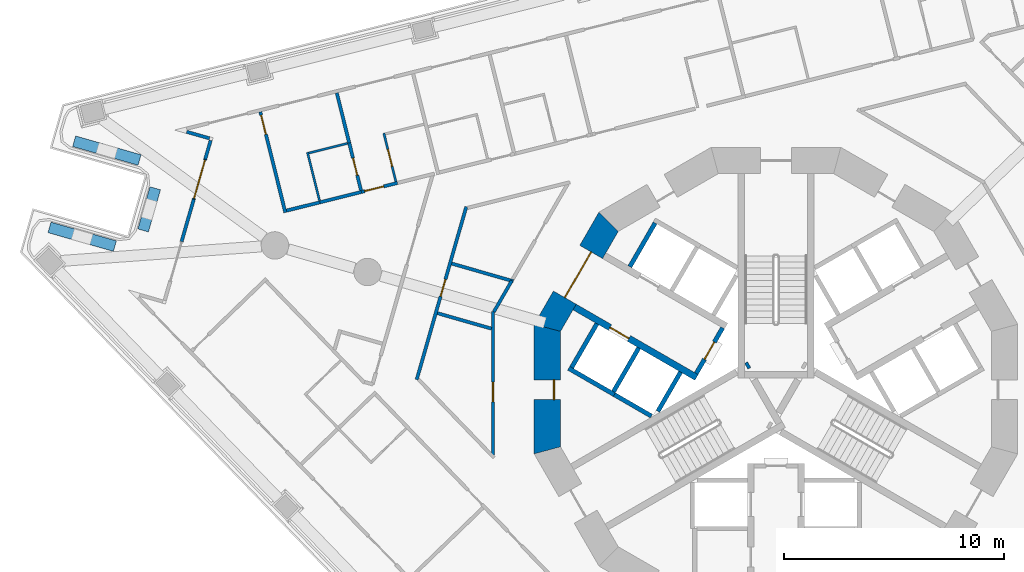
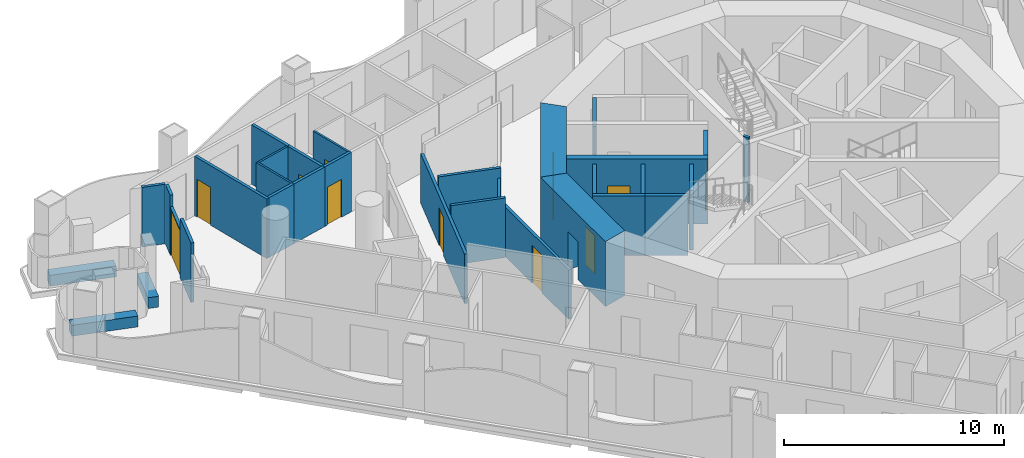
# One storey, part 6 of 18: 32 walls, 11 doors, 11 openings.
"""IFC4 building model written with IfcOpenShell, lengths in metres."""

import ifcopenshell
import ifcopenshell.guid

model = None  # the IFC model being written
_history = None  # IfcOwnerHistory: only IFC2X3 demands one
_inside = {}  # id of a spatial element -> (the spatial element, [elements in it])
_under = {}  # id of a project, library or spatial element -> (it, [spatial elements below it])
_declared = {}  # id of a project -> (the project, [libraries it declares])
_typed = {}  # id of a type object -> (the type object, [elements of that type])
_made_of = {}  # id of a material, layer set ... -> (it, [elements and type objects made of it])


def new_model(schema):
    """Start an empty IFC model of exactly this schema.

    Asked for "IFC4X3", IfcOpenShell would pick the latest addendum, in which some entities
    have other attributes; the version numbers below select the first issue.
    IFC2X3 requires an IfcOwnerHistory on every rooted entity: one is made here for all.
    """
    global model, _history
    if schema == "IFC4X3":
        model = ifcopenshell.file(schema_version=(4, 3, 0, 0))
    else:
        model = ifcopenshell.file(schema=schema)
    _inside.clear()
    _under.clear()
    _declared.clear()
    _typed.clear()
    _made_of.clear()
    _history = None
    if model.schema == "IFC2X3":
        org = make("IfcOrganization", Name="unknown")
        user = make(
            "IfcPersonAndOrganization",
            ThePerson=make("IfcPerson", FamilyName="unknown"),
            TheOrganization=org,
        )
        app = make(
            "IfcApplication",
            ApplicationDeveloper=org,
            Version="unknown",
            ApplicationFullName="unknown",
            ApplicationIdentifier="unknown",
        )
        _history = make(
            "IfcOwnerHistory",
            OwningUser=user,
            OwningApplication=app,
            ChangeAction="ADDED",
            CreationDate=0,
        )
    return model


def make(cls, **values):
    """One entity of the class cls with the attributes given. An attribute that is None is left unset."""
    return model.create_entity(
        cls, **{name: value for name, value in values.items() if value is not None}
    )


def rooted(cls, **values):
    """An entity with a GlobalId (a new one), such as an element, a storey or a relation."""
    return make(cls, GlobalId=ifcopenshell.guid.new(), OwnerHistory=_history, **values)


def si_unit(unit_type, name, prefix=None):
    """IfcSIUnit, for example si_unit("LENGTHUNIT", "METRE", prefix="MILLI")."""
    return make("IfcSIUnit", UnitType=unit_type, Prefix=prefix, Name=name)


def assignment(units):
    """IfcUnitAssignment: the units of a project."""
    return None if units is None else make("IfcUnitAssignment", Units=units)


def point(xyz):
    """IfcCartesianPoint."""
    return None if xyz is None else make("IfcCartesianPoint", Coordinates=xyz)


def direction(xyz):
    """IfcDirection."""
    return None if xyz is None else make("IfcDirection", DirectionRatios=xyz)


def frame(location, z_axis=None, x_axis=None):
    """IfcAxis2Placement3D, a coordinate frame: its origin and axes. An axis left out is left unset."""
    return make(
        "IfcAxis2Placement3D",
        Location=point(location),
        Axis=direction(z_axis),
        RefDirection=direction(x_axis),
    )


def frame_2d(location, x_axis=None):
    """IfcAxis2Placement2D, a coordinate frame in the plane: its origin and x axis."""
    return make(
        "IfcAxis2Placement2D", Location=point(location), RefDirection=direction(x_axis)
    )


def origin():
    """The frame at (0, 0, 0) with its axes left unset."""
    return frame((0.0, 0.0, 0.0))


def place(relative_to, where):
    """IfcLocalPlacement: puts the frame where relative to a parent placement (None: the world)."""
    return make(
        "IfcLocalPlacement", PlacementRelTo=relative_to, RelativePlacement=where
    )


def context(
    kind, dimensions, precision=None, world=None, true_north=None, identifier=None
):
    """IfcGeometricRepresentationContext, for example the 3D "Model" context."""
    return make(
        "IfcGeometricRepresentationContext",
        ContextIdentifier=identifier,
        ContextType=kind,
        CoordinateSpaceDimension=dimensions,
        Precision=precision,
        WorldCoordinateSystem=world,
        TrueNorth=true_north,
    )


def subcontext(parent, identifier, kind, view, scale=None):
    """IfcGeometricRepresentationSubContext, for example "Body" below "Model"."""
    return make(
        "IfcGeometricRepresentationSubContext",
        ContextIdentifier=identifier,
        ContextType=kind,
        ParentContext=parent,
        TargetScale=scale,
        TargetView=view,
    )


def project(units=None, contexts=None):
    """IfcProject with its units and contexts."""
    return rooted(
        "IfcProject",
        Name="project",
        RepresentationContexts=contexts,
        UnitsInContext=assignment(units),
    )


def spatial(cls, under=None, at=None, **own):
    """A site, building, storey or space (cls), placed at a placement, below another one or the project."""
    s = rooted(cls, ObjectPlacement=at, **own)
    if under is not None:
        _under.setdefault(under.id(), (under, []))[1].append(s)
    return s


def polyline(points):
    """IfcPolyline through the points."""
    return make("IfcPolyline", Points=[point(p) for p in points])


def profile(cls, at=None, kind="AREA", **sizes):
    """A parametric profile (cls). Its sizes go by their IFC names, for example OverallWidth=200.0."""
    return make(cls, ProfileType=kind, Position=at, **sizes)


def rectangle(**sizes):
    """IfcRectangleProfileDef."""
    return profile("IfcRectangleProfileDef", **sizes)


def outline(outer, holes=None, kind="AREA"):
    """IfcArbitraryClosedProfileDef: a profile drawn as a closed curve; with holes, ...WithVoids."""
    if holes is None:
        return make("IfcArbitraryClosedProfileDef", ProfileType=kind, OuterCurve=outer)
    return make(
        "IfcArbitraryProfileDefWithVoids",
        ProfileType=kind,
        OuterCurve=outer,
        InnerCurves=holes,
    )


def extrude(swept, where, along, depth):
    """IfcExtrudedAreaSolid: the profile swept, set in the frame where, extruded along a direction by depth."""
    return make(
        "IfcExtrudedAreaSolid",
        SweptArea=swept,
        Position=where,
        ExtrudedDirection=direction(along),
        Depth=depth,
    )


def shape(context_of_items, identifier, shape_type, items):
    """IfcShapeRepresentation: the items that make up one representation, for example the "Body"."""
    return make(
        "IfcShapeRepresentation",
        ContextOfItems=context_of_items,
        RepresentationIdentifier=identifier,
        RepresentationType=shape_type,
        Items=items,
    )


def material(Name=None, Category=None):
    """IfcMaterial."""
    return make("IfcMaterial", Name=Name, Category=Category)


def layer(
    of_material, thickness, ventilated=None, Name=None, Category=None, Priority=None
):
    """IfcMaterialLayer: one layer of a wall or slab, of a material (None: an air gap)."""
    return make(
        "IfcMaterialLayer",
        Material=of_material,
        LayerThickness=thickness,
        IsVentilated=ventilated,
        Name=Name,
        Category=Category,
        Priority=Priority,
    )


def layer_set(layers, Name=None):
    """IfcMaterialLayerSet."""
    return make("IfcMaterialLayerSet", MaterialLayers=layers, LayerSetName=Name)


def made_of(thing, what):
    """Note that an element or type object is made of a material, layer set ...; save() writes the relation."""
    if what is not None:
        _made_of.setdefault(what.id(), (what, []))[1].append(thing)
    return thing


def type_object(cls, material=None, **own):
    """A type object (cls), such as IfcWallType, which elements share."""
    return made_of(rooted(cls, **own), material)


def element(
    cls,
    number,
    at=None,
    inside=None,
    cuts=None,
    type_object=None,
    material=None,
    context=None,
    identifier="Body",
    shape_type=None,
    held_by="IfcProductDefinitionShape",
    body=None,
    shapes=None,
    **own,
):
    """One element of the class cls, such as IfcWall. Its Tag is "e" and its number.

    at: its placement. inside: the storey or other place that contains it. cuts: it is an
    opening in that element (IfcRelVoidsElement). A single representation is given by context,
    identifier, shape_type and body (its items); several are given by shapes. held_by: the class
    of the entity that holds the representations. save() writes the other relations.
    """
    e = rooted(cls, Tag="e%d" % number, ObjectPlacement=at, **own)
    if body is not None:
        shapes = [shape(context, identifier, shape_type, body)]
    if shapes is not None:
        e.Representation = make(held_by, Representations=shapes)
    if inside is not None:
        _inside.setdefault(inside.id(), (inside, []))[1].append(e)
    if cuts is not None:
        rooted(
            "IfcRelVoidsElement", RelatingBuildingElement=cuts, RelatedOpeningElement=e
        )
    if type_object is not None:
        _typed.setdefault(type_object.id(), (type_object, []))[1].append(e)
    return made_of(e, material)


def fill(opening, filler):
    """IfcRelFillsElement: the door or window that sits in an opening."""
    return rooted(
        "IfcRelFillsElement",
        RelatingOpeningElement=opening,
        RelatedBuildingElement=filler,
    )


def aggregate(whole, parts):
    """IfcRelAggregates: a whole, such as a stair, and the parts it consists of."""
    return rooted("IfcRelAggregates", RelatingObject=whole, RelatedObjects=parts)


def save(model, path):
    """Write the relations noted so far, then the file.

    IfcRelAggregates (storeys below a building ...), IfcRelContainedInSpatialStructure (elements
    in a storey), IfcRelDefinesByType, IfcRelAssociatesMaterial and IfcRelDeclares: one each for
    every whole, place, type object, material and project.
    """
    for whole, parts in _under.values():
        aggregate(whole, parts)
    for where, things in _inside.values():
        rooted(
            "IfcRelContainedInSpatialStructure",
            RelatedElements=things,
            RelatingStructure=where,
        )
    for kind, things in _typed.values():
        rooted("IfcRelDefinesByType", RelatedObjects=things, RelatingType=kind)
    for what, things in _made_of.values():
        rooted("IfcRelAssociatesMaterial", RelatedObjects=things, RelatingMaterial=what)
    for by, libraries in _declared.values():
        rooted("IfcRelDeclares", RelatingContext=by, RelatedDefinitions=libraries)
    model.write(path)


model = new_model("IFC4")

# Units and contexts
model_context = context("Model", 3, precision=1e-05, world=origin(), true_north=direction((0.0, 1.0)))
body_context = subcontext(model_context, "Body", "Model", "MODEL_VIEW")
ifc_project = project(units=[si_unit("LENGTHUNIT", "METRE"), si_unit("AREAUNIT", "SQUARE_METRE"), si_unit("VOLUMEUNIT", "CUBIC_METRE"), si_unit("PLANEANGLEUNIT", "RADIAN"), si_unit("MASSUNIT", "GRAM", prefix="KILO")], contexts=[model_context])

# Site, building, storey
site_placement = place(None, origin())
site = spatial("IfcSite", under=ifc_project, at=site_placement, CompositionType="ELEMENT")
building_placement = place(site_placement, origin())
building = spatial("IfcBuilding", under=site, at=building_placement, Name="Trine Commons Tower", CompositionType="ELEMENT")
storey_placement = place(building_placement, frame((0.0, 0.0, 90.89990234375)))
storey = spatial("IfcBuildingStorey", under=building, at=storey_placement, Name="L22", CompositionType="ELEMENT", Elevation=90.89990234375)

# Wall
ifc_material_1 = material(Name="Aluminium-framed insulated wall panel", Category="aluminium")
ifc_layer_1 = layer(ifc_material_1, 0.14990234375)
ifc_layer_set_1 = layer_set([ifc_layer_1], Name="Aluminium-framed insulated wall panel")
wall_type_1 = type_object("IfcWallType", Name="Glazed frame wall 150, EI 60", PredefinedType="SOLIDWALL", material=ifc_layer_set_1)
wall_1_placement = place(storey_placement, frame((52.931396484375, 69.221435546875, 0.0), z_axis=(0.0, 0.0, 1.0), x_axis=(0.275511032617, 0.961297909551, 0.0)))
element("IfcWall", 1, at=wall_1_placement, inside=storey, type_object=wall_type_1, Name="Glazed frame wall P1.3", PredefinedType="SOLIDWALL", context=body_context, shape_type="SweptSolid", body=[
    extrude(outline(polyline([(0.0, -0.074951171875), (2.0, -0.074951171875), (2.0, 0.074951171875), (0.0, 0.074951171875), (0.0, -0.074951171875)])), origin(), (0.0, 0.0, 1.0), 3.300048828125),
])

# Wall, opening, door
wall_2_placement = place(storey_placement, frame((53.482421875, 71.14404296875, 0.0), z_axis=(0.0, 0.0, 1.0), x_axis=(0.275739195228, 0.961232488119, 0.0)))
wall_2 = element("IfcWall", 2, at=wall_2_placement, inside=storey, type_object=wall_type_1, Name="Glazed frame wall P1.4", PredefinedType="SOLIDWALL", context=body_context, shape_type="SweptSolid", body=[
    extrude(outline(polyline([(0.0, -0.074951171875), (1.89990234375, -0.074951171875), (1.89990234375, 0.074951171875), (0.0, 0.074951171875), (0.0, -0.074951171875)])), origin(), (0.0, 0.0, 1.0), 2.650146484375),
])
opening_1_placement = place(wall_2_placement, frame((0.050048828125, 0.0, 0.0)))
opening_1 = element("IfcOpeningElement", 3, at=opening_1_placement, cuts=wall_2, Name="Opening BD-3P1-02", PredefinedType="OPENING", context=body_context, shape_type="SweptSolid", body=[
    extrude(rectangle(XDim=1.800048828125, YDim=2.60009765625, at=frame_2d((0.89990234375, 1.300048828125))), frame((0.0, 0.0849609375, 0.0), z_axis=(0.0, -1.0, 0.0), x_axis=(1.0, 0.0, 0.0)), (0.0, 0.0, 1.0), 0.169921875),
])
ifc_material_2 = material(Name="Anodised aluminium frame with double glazing", Category="aluminium")
door_type_1 = type_object("IfcDoorType", Name="Sliding loggia door 1800x2600", OperationType="SLIDING_TO_LEFT", PredefinedType="DOOR", material=ifc_material_2)
door_1_placement = place(opening_1_placement, origin())
door_1 = element("IfcDoor", 4, at=door_1_placement, inside=storey, type_object=door_type_1, Name="Loggia door P1 2", OperationType="SLIDING_TO_LEFT", OverallHeight=2.60009765625, OverallWidth=1.800048828125, PredefinedType="DOOR", context=body_context, shape_type="SweptSolid", body=[
    extrude(rectangle(XDim=1.800048828125, YDim=2.60009765625, at=frame_2d((0.89990234375, 1.300048828125))), frame((0.0, 0.02490234375, 0.0), z_axis=(0.0, -1.0, 0.0), x_axis=(1.0, 0.0, 0.0)), (0.0, 0.0, 1.0), 0.050048828125),
])
fill(opening_1, door_1)

# Walls
wall_3_placement = place(storey_placement, frame((54.00634765625, 72.970458984375, 0.0), z_axis=(0.0, 0.0, 1.0), x_axis=(0.275656175253, 0.961256299353, 0.0)))
element("IfcWall", 5, at=wall_3_placement, inside=storey, type_object=wall_type_1, Name="Glazed frame wall P1.5", PredefinedType="SOLIDWALL", context=body_context, shape_type="SweptSolid", body=[
    extrude(outline(polyline([(0.889892578125, 0.074951171875), (0.0, 0.074951171875), (0.0, -0.074951171875), (0.889892578125, -0.074951171875), (0.889892578125, 0.074951171875)])), origin(), (0.0, 0.0, 1.0), 3.300048828125),
])
wall_4_placement = place(storey_placement, frame((54.305908203125, 73.888427734375, 0.0), z_axis=(0.0, 0.0, 1.0), x_axis=(-0.961242628544, 0.275703843044, 0.0)))
element("IfcWall", 6, at=wall_4_placement, inside=storey, type_object=wall_type_1, Name="Glazed frame wall R3", PredefinedType="SOLIDWALL", context=body_context, shape_type="SweptSolid", body=[
    extrude(outline(polyline([(0.110107421875, 0.074951171875), (0.110107421875, -0.074951171875), (1.19580078125, -0.074951171875), (1.19580078125, 0.074951171875), (0.110107421875, 0.074951171875)])), origin(), (0.0, 0.0, 1.0), 3.300048828125),
])

# Wall, opening, door
ifc_material_3 = material(Name="Fire-rated gypsum shaft wall system")
ifc_layer_2 = layer(ifc_material_3, 0.199951171875)
ifc_layer_set_2 = layer_set([ifc_layer_2], Name="Fire-rated gypsum shaft wall system")
wall_type_2 = type_object("IfcWallType", Name="Lobby end wall 200 mm, EI 120", PredefinedType="PARTITIONING", material=ifc_layer_set_2)
wall_5_placement = place(storey_placement, frame((77.569091796875, 65.2890625, 0.0), z_axis=(0.0, 0.0, 1.0), x_axis=(-0.50012165622, -0.865955154139, 0.0)))
wall_5 = element("IfcWall", 7, at=wall_5_placement, inside=storey, type_object=wall_type_2, Name="Lobby end wall L22", PredefinedType="PARTITIONING", context=body_context, shape_type="SweptSolid", body=[
    extrude(rectangle(XDim=2.39990234375, YDim=0.199951171875, at=frame_2d((1.199951171875, 0.0))), origin(), (0.0, 0.0, 1.0), 3.300048828125),
])
opening_2_placement = place(wall_5_placement, frame((0.749755859375, 0.0, 0.0)))
opening_2 = element("IfcOpeningElement", 8, at=opening_2_placement, cuts=wall_5, Name="Opening K05.07", PredefinedType="OPENING", context=body_context, shape_type="SweptSolid", body=[
    extrude(rectangle(XDim=0.89990234375, YDim=2.10009765625, at=frame_2d((0.449951171875, 1.050048828125))), frame((0.0, 0.10986328125, 0.0), z_axis=(0.0, -1.0, 0.0), x_axis=(1.0, 0.0, 0.0)), (0.0, 0.0, 1.0), 0.219970703125),
])
ifc_material_4 = material(Name="Steel door leaf, fire-rated", Category="steel")
door_type_2 = type_object("IfcDoorType", Name="Riser access door, single leaf 900 x 2100, FD60", OperationType="SINGLE_SWING_LEFT", PredefinedType="DOOR", material=ifc_material_4)
door_2_placement = place(opening_2_placement, frame((0.89990234375, 0.0, 0.0), z_axis=(0.0, 0.0, 1.0), x_axis=(-1.0, 0.0, 0.0)))
door_2 = element("IfcDoor", 9, at=door_2_placement, inside=storey, type_object=door_type_2, Name="Riser door, Mechanical riser L22", OperationType="SINGLE_SWING_RIGHT", OverallHeight=2.10009765625, OverallWidth=0.89990234375, PredefinedType="DOOR", context=body_context, shape_type="SweptSolid", body=[
    extrude(rectangle(XDim=0.89990234375, YDim=2.10009765625, at=frame_2d((0.449951171875, 1.050048828125))), frame((0.0, 0.02490234375, 0.0), z_axis=(0.0, -1.0, 0.0), x_axis=(1.0, 0.0, 0.0)), (0.0, 0.0, 1.0), 0.050048828125),
])
fill(opening_2, door_2)

# Walls
ifc_material_5 = material(Name="Planter trough, precast concrete C40/50", Category="concrete")
ifc_layer_3 = layer(ifc_material_5, 0.5)
ifc_layer_set_3 = layer_set([ifc_layer_3], Name="Planter trough, precast concrete C40/50")
wall_type_3 = type_object("IfcWallType", Name="Planter trough 500x600", PredefinedType="PARAPET", material=ifc_layer_set_3)
wall_6_placement = place(storey_placement, frame((46.91064453125, 69.865966796875, 0.0), z_axis=(0.0, 0.0, 1.0), x_axis=(0.961261991794, -0.275636324044, 0.0)))
element("IfcWall", 10, at=wall_6_placement, inside=storey, type_object=wall_type_3, Name="Planter 1", PredefinedType="PARAPET", context=body_context, shape_type="SweptSolid", body=[
    extrude(rectangle(XDim=3.10009765625, YDim=0.5, at=frame_2d((1.550048828125, 0.0))), origin(), (0.0, 0.0, 1.0), 0.60009765625),
])
wall_7_placement = place(storey_placement, frame((51.177001953125, 69.724609375, 0.0), z_axis=(0.0, 0.0, 1.0), x_axis=(0.275623830648, 0.961265574115, 0.0)))
element("IfcWall", 11, at=wall_7_placement, inside=storey, type_object=wall_type_3, Name="Planter 2", PredefinedType="PARAPET", context=body_context, shape_type="SweptSolid", body=[
    extrude(rectangle(XDim=2.0, YDim=0.5, at=frame_2d((1.0, 0.0))), origin(), (0.0, 0.0, 1.0), 0.60009765625),
])
wall_8_placement = place(storey_placement, frame((51.01513671875, 72.93359375, 0.0), z_axis=(0.0, 0.0, 1.0), x_axis=(-0.961261991794, 0.275636324044, 0.0)))
element("IfcWall", 12, at=wall_8_placement, inside=storey, type_object=wall_type_3, Name="Planter 3", PredefinedType="PARAPET", context=body_context, shape_type="SweptSolid", body=[
    extrude(rectangle(XDim=3.10009765625, YDim=0.5, at=frame_2d((1.550048828125, 0.0))), origin(), (0.0, 0.0, 1.0), 0.60009765625),
])

# Wall, opening, door
ifc_material_6 = material(Name="Concrete C70/85", Category="concrete")
ifc_layer_4 = layer(ifc_material_6, 1.199951171875)
ifc_layer_set_4 = layer_set([ifc_layer_4], Name="Concrete C70/85")
wall_type_4 = type_object("IfcWallType", Name="RC shear wall 1200 mm, C70/85", PredefinedType="SHEAR", material=ifc_layer_set_4)
wall_9_placement = place(storey_placement, frame((72.45849609375, 70.260986328125, 0.0), z_axis=(0.0, 0.0, 1.0), x_axis=(-0.499979111662, -0.866037463336, 0.0)))
wall_9 = element("IfcWall", 13, at=wall_9_placement, inside=storey, type_object=wall_type_4, Name="Core wall CWC-06 L22", PredefinedType="SHEAR", context=body_context, shape_type="SweptSolid", body=[
    extrude(outline(polyline([(0.0, -0.60009765625), (5.901123046875, -0.60009765625), (5.57958984375, 0.60009765625), (0.321533203125, 0.60009765625), (0.0, -0.60009765625)])), origin(), (0.0, 0.0, 1.0), 3.60009765625),
])
opening_3_placement = place(wall_9_placement, frame((1.75048828125, 0.0, 0.0)))
opening_3 = element("IfcOpeningElement", 14, at=opening_3_placement, cuts=wall_9, Name="Opening K05.06", PredefinedType="OPENING", context=body_context, shape_type="SweptSolid", body=[
    extrude(rectangle(XDim=2.39990234375, YDim=2.10009765625, at=frame_2d((1.199951171875, 1.050048828125))), frame((0.0, 0.60986328125, 0.0), z_axis=(0.0, -1.0, 0.0), x_axis=(1.0, 0.0, 0.0)), (0.0, 0.0, 1.0), 1.219970703125),
])
ifc_material_7 = material(Name="Steel door leaves, fire-rated", Category="steel")
door_type_3 = type_object("IfcDoorType", Name="Lobby door, double leaf 2400 x 2100, FD60", OperationType="DOUBLE_DOOR_SINGLE_SWING", PredefinedType="DOOR", material=ifc_material_7)
door_3_placement = place(opening_3_placement, origin())
door_3 = element("IfcDoor", 15, at=door_3_placement, inside=storey, type_object=door_type_3, Name="Lobby door, Passenger lift lobby B L22", OperationType="DOUBLE_DOOR_SINGLE_SWING", OverallHeight=2.10009765625, OverallWidth=2.39990234375, PredefinedType="DOOR", context=body_context, shape_type="SweptSolid", body=[
    extrude(rectangle(XDim=2.39990234375, YDim=2.10009765625, at=frame_2d((1.199951171875, 1.050048828125))), frame((0.0, 0.02490234375, 0.0), z_axis=(0.0, -1.0, 0.0), x_axis=(1.0, 0.0, 0.0)), (0.0, 0.0, 1.0), 0.050048828125),
])
fill(opening_3, door_3)

wall_10_placement = place(storey_placement, frame((69.58837890625, 65.450439453125, 0.0), z_axis=(0.0, 0.0, 1.0), x_axis=(0.0, -1.0, 0.0)))
wall_10 = element("IfcWall", 16, at=wall_10_placement, inside=storey, type_object=wall_type_4, Name="Core wall CWC-07 L22", PredefinedType="SHEAR", context=body_context, shape_type="SweptSolid", body=[
    extrude(outline(polyline([(0.0, -0.60009765625), (5.90087890625, -0.60009765625), (5.57958984375, 0.60009765625), (0.321533203125, 0.60009765625), (0.0, -0.60009765625)])), origin(), (0.0, 0.0, 1.0), 3.60009765625),
])
opening_4_placement = place(wall_10_placement, frame((2.525390625, 0.0, 0.0)))
opening_4 = element("IfcOpeningElement", 17, at=opening_4_placement, cuts=wall_10, Name="Opening K05.13", PredefinedType="OPENING", context=body_context, shape_type="SweptSolid", body=[
    extrude(rectangle(XDim=0.89990234375, YDim=2.10009765625, at=frame_2d((0.449951171875, 1.050048828125))), frame((0.0, 0.60986328125, 0.0), z_axis=(0.0, -1.0, 0.0), x_axis=(1.0, 0.0, 0.0)), (0.0, 0.0, 1.0), 1.219970703125),
])
door_type_4 = type_object("IfcDoorType", Name="Core room door, single leaf 900 x 2100, FD30S", OperationType="SINGLE_SWING_LEFT", PredefinedType="DOOR", material=ifc_material_4)
door_4_placement = place(opening_4_placement, origin())
door_4 = element("IfcDoor", 18, at=door_4_placement, inside=storey, type_object=door_type_4, Name="Door to Pantry L22", OperationType="SINGLE_SWING_RIGHT", OverallHeight=2.10009765625, OverallWidth=0.89990234375, PredefinedType="DOOR", context=body_context, shape_type="SweptSolid", body=[
    extrude(rectangle(XDim=0.89990234375, YDim=2.10009765625, at=frame_2d((0.449951171875, 1.050048828125))), frame((0.0, 0.3251953125, 0.0), z_axis=(0.0, -1.0, 0.0), x_axis=(1.0, 0.0, 0.0)), (0.0, 0.0, 1.0), 0.050048828125),
])
fill(opening_4, door_4)

ifc_layer_5 = layer(ifc_material_6, 0.300048828125)
ifc_layer_set_5 = layer_set([ifc_layer_5], Name="Concrete C70/85")
wall_type_5 = type_object("IfcWallType", Name="RC shear wall 300 mm, C70/85", PredefinedType="SHEAR", material=ifc_layer_set_5)
wall_11_placement = place(storey_placement, frame((76.381103515625, 63.031005859375, 0.0), z_axis=(0.0, 0.0, 1.0), x_axis=(-0.866032150378, 0.499988314375, 0.0)))
wall_11 = element("IfcWall", 19, at=wall_11_placement, inside=storey, type_object=wall_type_5, Name="Core cross wall SWA-01 L22", PredefinedType="SHEAR", context=body_context, shape_type="SweptSolid", body=[
    extrude(rectangle(XDim=6.412353515625, YDim=0.300048828125, at=frame_2d((3.2060546875, 0.0))), origin(), (0.0, 0.0, 1.0), 3.60009765625),
])
opening_5_placement = place(wall_11_placement, frame((3.55029296875, 0.0, 0.0)))
opening_5 = element("IfcOpeningElement", 20, at=opening_5_placement, cuts=wall_11, Name="Opening LD3", PredefinedType="OPENING", context=body_context, shape_type="SweptSolid", body=[
    extrude(rectangle(XDim=1.0, YDim=2.10009765625, at=frame_2d((0.5, 1.050048828125))), frame((0.0, 0.159912109375, 0.0), z_axis=(0.0, -1.0, 0.0), x_axis=(1.0, 0.0, 0.0)), (0.0, 0.0, 1.0), 0.320068359375),
])
ifc_material_8 = material(Name="Stainless steel sliding door leaves", Category="steel")
door_type_5 = type_object("IfcDoorType", Name="Lift landing door, centre-opening sliding 1000 x 2100, FD90", OperationType="DOUBLE_DOOR_SLIDING", PredefinedType="DOOR", material=ifc_material_8)
door_5_placement = place(opening_5_placement, origin())
door_5 = element("IfcDoor", 21, at=door_5_placement, inside=storey, type_object=door_type_5, Name="Lift landing door LR3 L22", OperationType="DOUBLE_DOOR_SLIDING", OverallHeight=2.10009765625, OverallWidth=1.0, PredefinedType="DOOR", context=body_context, shape_type="SweptSolid", body=[
    extrude(rectangle(XDim=1.0, YDim=2.10009765625, at=frame_2d((0.5, 1.050048828125))), frame((0.0, 0.02490234375, 0.0), z_axis=(0.0, -1.0, 0.0), x_axis=(1.0, 0.0, 0.0)), (0.0, 0.0, 1.0), 0.050048828125),
])
fill(opening_5, door_5)

# Walls
wall_12_placement = place(storey_placement, frame((78.779052734375, 63.614013671875, 0.0), z_axis=(0.0, 0.0, 1.0), x_axis=(-0.867737973955, -0.497021939713, 0.0)))
element("IfcWall", 22, at=wall_12_placement, inside=storey, type_object=wall_type_5, Name="Core cross wall SWA-09 L22", PredefinedType="SHEAR", context=body_context, shape_type="SweptSolid", body=[
    extrude(rectangle(XDim=0.14892578125, YDim=0.300048828125, at=frame_2d((0.074462890625, 0.0))), origin(), (0.0, 0.0, 1.0), 3.60009765625),
])
ifc_layer_6 = layer(ifc_material_3, 0.199951171875)
ifc_layer_set_6 = layer_set([ifc_layer_6], Name="Fire-rated gypsum shaft wall system")
wall_type_6 = type_object("IfcWallType", Name="Shaft wall 200 mm, EI 120", PredefinedType="PARTITIONING", material=ifc_layer_set_6)
wall_13_placement = place(storey_placement, frame((71.844970703125, 65.47607421875, 0.0), z_axis=(0.0, 0.0, 1.0), x_axis=(-0.500136062276, -0.86594683394, 0.0)))
element("IfcWall", 23, at=wall_13_placement, inside=storey, type_object=wall_type_6, Name="Shaft wall L22", PredefinedType="PARTITIONING", context=body_context, shape_type="SweptSolid", body=[
    extrude(rectangle(XDim=2.299072265625, YDim=0.199951171875, at=frame_2d((1.1494140625, 0.0))), origin(), (0.0, 0.0, 1.0), 3.300048828125),
])
wall_14_placement = place(storey_placement, frame((72.637939453125, 62.248046875, 0.0), z_axis=(0.0, 0.0, 1.0), x_axis=(-0.866177122335, 0.499737123639, 0.0)))
element("IfcWall", 24, at=wall_14_placement, inside=storey, type_object=wall_type_6, Name="Shaft wall L22", PredefinedType="PARTITIONING", context=body_context, shape_type="SweptSolid", body=[
    extrude(rectangle(XDim=2.401123046875, YDim=0.199951171875, at=frame_2d((1.20068359375, 0.0))), origin(), (0.0, 0.0, 1.0), 3.300048828125),
])
wall_15_placement = place(storey_placement, frame((73.344970703125, 68.073974609375, 0.0), z_axis=(0.0, 0.0, 1.0), x_axis=(0.500215680983, 0.865900844496, 0.0)))
element("IfcWall", 25, at=wall_15_placement, inside=storey, type_object=wall_type_6, Name="Shaft wall L22", PredefinedType="PARTITIONING", context=body_context, shape_type="SweptSolid", body=[
    extrude(rectangle(XDim=2.29931640625, YDim=0.199951171875, at=frame_2d((1.149658203125, 0.0))), origin(), (0.0, 0.0, 1.0), 3.300048828125),
])
wall_16_placement = place(storey_placement, frame((73.7509765625, 64.3759765625, 0.0), z_axis=(0.0, 0.0, 1.0), x_axis=(-0.500136062276, -0.86594683394, 0.0)))
element("IfcWall", 26, at=wall_16_placement, inside=storey, type_object=wall_type_6, Name="Shaft wall L22", PredefinedType="PARTITIONING", context=body_context, shape_type="SweptSolid", body=[
    extrude(rectangle(XDim=2.299072265625, YDim=0.199951171875, at=frame_2d((1.1494140625, 0.0))), origin(), (0.0, 0.0, 1.0), 3.300048828125),
])
wall_17_placement = place(storey_placement, frame((74.324951171875, 61.27294921875, 0.0), z_axis=(0.0, 0.0, 1.0), x_axis=(-0.865780634835, 0.500423712812, 0.0)))
element("IfcWall", 27, at=wall_17_placement, inside=storey, type_object=wall_type_6, Name="Shaft wall L22", PredefinedType="PARTITIONING", context=body_context, shape_type="SweptSolid", body=[
    extrude(rectangle(XDim=1.948486328125, YDim=0.199951171875, at=frame_2d((0.97412109375, 0.0))), origin(), (0.0, 0.0, 1.0), 3.300048828125),
])
wall_18_placement = place(storey_placement, frame((75.656005859375, 63.27587890625, 0.0), z_axis=(0.0, 0.0, 1.0), x_axis=(-0.500271688072, -0.86586848777, 0.0)))
element("IfcWall", 28, at=wall_18_placement, inside=storey, type_object=wall_type_6, Name="Shaft wall L22", PredefinedType="PARTITIONING", context=body_context, shape_type="SweptSolid", body=[
    extrude(rectangle(XDim=2.064697265625, YDim=0.199951171875, at=frame_2d((1.0322265625, 0.0))), origin(), (0.0, 0.0, 1.0), 3.300048828125),
])

# Wall, opening, door
ifc_material_9 = material(Name="Gypsum plasterboard on steel stud", Category="steel")
ifc_layer_7 = layer(ifc_material_9, 0.14990234375)
ifc_layer_set_7 = layer_set([ifc_layer_7], Name="Gypsum plasterboard on steel stud")
wall_type_7 = type_object("IfcWallType", Name="Unit and corridor wall 150 mm, EI 60", PredefinedType="PARTITIONING", material=ifc_layer_set_7)
wall_19_placement = place(storey_placement, frame((56.513671875, 75.122314453125, 0.0), z_axis=(0.0, 0.0, 1.0), x_axis=(0.24185448203, -0.970312531879, 0.0)))
wall_19 = element("IfcWall", 29, at=wall_19_placement, inside=storey, type_object=wall_type_7, Name="Partition 002", PredefinedType="PARTITIONING", context=body_context, shape_type="SweptSolid", body=[
    extrude(rectangle(XDim=4.72314453125, YDim=0.14990234375, at=frame_2d((2.361572265625, 0.0))), origin(), (0.0, 0.0, 1.0), 3.300048828125),
])
opening_6_placement = place(wall_19_placement, frame((0.14990234375, 0.0, 0.0)))
opening_6 = element("IfcOpeningElement", 30, at=opening_6_placement, cuts=wall_19, Name="Opening D-3A07", PredefinedType="OPENING", context=body_context, shape_type="SweptSolid", body=[
    extrude(rectangle(XDim=0.89990234375, YDim=2.10009765625, at=frame_2d((0.449951171875, 1.050048828125))), frame((0.0, 0.0849609375, 0.0), z_axis=(0.0, -1.0, 0.0), x_axis=(1.0, 0.0, 0.0)), (0.0, 0.0, 1.0), 0.169921875),
])
ifc_material_10 = material(Name="Timber fire door set", Category="wood")
door_type_6 = type_object("IfcDoorType", Name="Bedroom door 900 x 2100, FD30S", OperationType="NOTDEFINED", PredefinedType="DOOR", material=ifc_material_10)
door_6_placement = place(opening_6_placement, origin())
door_6 = element("IfcDoor", 31, at=door_6_placement, inside=storey, type_object=door_type_6, Name="Door D-3A07", OperationType="SINGLE_SWING_LEFT", OverallHeight=2.10009765625, OverallWidth=0.89990234375, PredefinedType="DOOR", context=body_context, shape_type="SweptSolid", body=[
    extrude(rectangle(XDim=0.89990234375, YDim=2.10009765625, at=frame_2d((0.449951171875, 1.050048828125))), frame((0.0, 0.02490234375, 0.0), z_axis=(0.0, -1.0, 0.0), x_axis=(1.0, 0.0, 0.0)), (0.0, 0.0, 1.0), 0.050048828125),
])
fill(opening_6, door_6)

# Walls
wall_20_placement = place(storey_placement, frame((57.710693359375, 70.630126953125, 0.0), z_axis=(0.0, 0.0, 1.0), x_axis=(0.970352827437, 0.2416927601, 0.0)))
element("IfcWall", 32, at=wall_20_placement, inside=storey, type_object=wall_type_7, Name="Partition 004", PredefinedType="PARTITIONING", context=body_context, shape_type="SweptSolid", body=[
    extrude(rectangle(XDim=1.567626953125, YDim=0.14990234375, at=frame_2d((0.78369140625, 0.0))), origin(), (0.0, 0.0, 1.0), 3.300048828125),
])
wall_21_placement = place(storey_placement, frame((59.22509765625, 71.007080078125, 0.0), z_axis=(0.0, 0.0, 1.0), x_axis=(0.970245142025, 0.242124687666, 0.0)))
element("IfcWall", 33, at=wall_21_placement, inside=storey, type_object=wall_type_7, Name="Partition 010", PredefinedType="PARTITIONING", context=body_context, shape_type="SweptSolid", body=[
    extrude(rectangle(XDim=1.957275390625, YDim=0.14990234375, at=frame_2d((0.978515625, 0.0))), origin(), (0.0, 0.0, 1.0), 3.300048828125),
])
wall_22_placement = place(storey_placement, frame((59.99560546875, 75.990234375, 0.0), z_axis=(0.0, 0.0, 1.0), x_axis=(0.242046315203, -0.970264696511, 0.0)))
element("IfcWall", 34, at=wall_22_placement, inside=storey, type_object=wall_type_7, Name="Partition 012", PredefinedType="PARTITIONING", context=body_context, shape_type="SweptSolid", body=[
    extrude(rectangle(XDim=2.34814453125, YDim=0.14990234375, at=frame_2d((1.174072265625, 0.0))), origin(), (0.0, 0.0, 1.0), 3.300048828125),
])

# Wall, opening, door
wall_23_placement = place(storey_placement, frame((60.56396484375, 73.7119140625, 0.0), z_axis=(0.0, 0.0, 1.0), x_axis=(0.241709422817, -0.970348676982, 0.0)))
wall_23 = element("IfcWall", 35, at=wall_23_placement, inside=storey, type_object=wall_type_7, Name="Partition 014", PredefinedType="PARTITIONING", context=body_context, shape_type="SweptSolid", body=[
    extrude(rectangle(XDim=2.22509765625, YDim=0.14990234375, at=frame_2d((1.112548828125, 0.0))), origin(), (0.0, 0.0, 1.0), 3.300048828125),
])
opening_7_placement = place(wall_23_placement, frame((0.712646484375, 0.0, 0.0)))
opening_7 = element("IfcOpeningElement", 36, at=opening_7_placement, cuts=wall_23, Name="Opening D-3A36", PredefinedType="OPENING", context=body_context, shape_type="SweptSolid", body=[
    extrude(rectangle(XDim=0.800048828125, YDim=2.10009765625, at=frame_2d((0.39990234375, 1.050048828125))), frame((0.0, 0.0849609375, 0.0), z_axis=(0.0, -1.0, 0.0), x_axis=(1.0, 0.0, 0.0)), (0.0, 0.0, 1.0), 0.169921875),
])
ifc_material_11 = material(Name="Painted timber", Category="wood")
door_type_7 = type_object("IfcDoorType", Name="Internal door 800 x 2100, NOT RATED", OperationType="NOTDEFINED", PredefinedType="DOOR", material=ifc_material_11)
door_7_placement = place(opening_7_placement, origin())
door_7 = element("IfcDoor", 37, at=door_7_placement, inside=storey, type_object=door_type_7, Name="Door D-3A36", OperationType="SINGLE_SWING_LEFT", OverallHeight=2.10009765625, OverallWidth=0.800048828125, PredefinedType="DOOR", context=body_context, shape_type="SweptSolid", body=[
    extrude(rectangle(XDim=0.800048828125, YDim=2.10009765625, at=frame_2d((0.39990234375, 1.050048828125))), frame((0.0, 0.02490234375, 0.0), z_axis=(0.0, -1.0, 0.0), x_axis=(1.0, 0.0, 0.0)), (0.0, 0.0, 1.0), 0.050048828125),
])
fill(opening_7, door_7)

wall_24_placement = place(storey_placement, frame((61.115966796875, 71.47900390625, 0.0), z_axis=(0.0, 0.0, 1.0), x_axis=(0.970311632009, 0.241858092252, 0.0)))
wall_24 = element("IfcWall", 38, at=wall_24_placement, inside=storey, type_object=wall_type_7, Name="Partition 015", PredefinedType="PARTITIONING", context=body_context, shape_type="SweptSolid", body=[
    extrude(rectangle(XDim=1.69580078125, YDim=0.14990234375, at=frame_2d((0.847900390625, 0.0))), origin(), (0.0, 0.0, 1.0), 3.300048828125),
])
opening_8_placement = place(wall_24_placement, frame((0.154052734375, 0.0, 0.0)))
opening_8 = element("IfcOpeningElement", 39, at=opening_8_placement, cuts=wall_24, Name="Opening D-3A08", PredefinedType="OPENING", context=body_context, shape_type="SweptSolid", body=[
    extrude(rectangle(XDim=0.89990234375, YDim=2.10009765625, at=frame_2d((0.449951171875, 1.050048828125))), frame((0.0, 0.0849609375, 0.0), z_axis=(0.0, -1.0, 0.0), x_axis=(1.0, 0.0, 0.0)), (0.0, 0.0, 1.0), 0.169921875),
])
door_8_placement = place(opening_8_placement, origin())
door_8 = element("IfcDoor", 40, at=door_8_placement, inside=storey, type_object=door_type_6, Name="Door D-3A08", OperationType="SINGLE_SWING_LEFT", OverallHeight=2.10009765625, OverallWidth=0.89990234375, PredefinedType="DOOR", context=body_context, shape_type="SweptSolid", body=[
    extrude(rectangle(XDim=0.89990234375, YDim=2.10009765625, at=frame_2d((0.449951171875, 1.050048828125))), frame((0.0, 0.02490234375, 0.0), z_axis=(0.0, -1.0, 0.0), x_axis=(1.0, 0.0, 0.0)), (0.0, 0.0, 1.0), 0.050048828125),
])
fill(opening_8, door_8)

wall_25_placement = place(storey_placement, frame((63.63720703125, 62.930908203125, 0.0), z_axis=(0.0, 0.0, 1.0), x_axis=(0.275598829518, 0.961272742341, 0.0)))
wall_25 = element("IfcWall", 41, at=wall_25_placement, inside=storey, type_object=wall_type_7, Name="Partition 025", PredefinedType="PARTITIONING", context=body_context, shape_type="SweptSolid", body=[
    extrude(rectangle(XDim=8.19140625, YDim=0.14990234375, at=frame_2d((4.095703125, 0.0))), origin(), (0.0, 0.0, 1.0), 2.75),
])
opening_9_placement = place(wall_25_placement, frame((3.94580078125, 0.0, 0.0)))
opening_9 = element("IfcOpeningElement", 42, at=opening_9_placement, cuts=wall_25, Name="Opening D-3A34", PredefinedType="OPENING", context=body_context, shape_type="SweptSolid", body=[
    extrude(rectangle(XDim=0.800048828125, YDim=2.10009765625, at=frame_2d((0.39990234375, 1.050048828125))), frame((0.0, 0.0849609375, 0.0), z_axis=(0.0, -1.0, 0.0), x_axis=(1.0, 0.0, 0.0)), (0.0, 0.0, 1.0), 0.169921875),
])
door_type_8 = type_object("IfcDoorType", Name="Toilet door 800 x 2100, NOT RATED", OperationType="NOTDEFINED", PredefinedType="DOOR", material=ifc_material_11)
door_9_placement = place(opening_9_placement, frame((0.800048828125, 0.0, 0.0), z_axis=(0.0, 0.0, 1.0), x_axis=(-1.0, 0.0, 0.0)))
door_9 = element("IfcDoor", 43, at=door_9_placement, inside=storey, type_object=door_type_8, Name="Door D-3A34", OperationType="SINGLE_SWING_LEFT", OverallHeight=2.10009765625, OverallWidth=0.800048828125, PredefinedType="DOOR", context=body_context, shape_type="SweptSolid", body=[
    extrude(rectangle(XDim=0.800048828125, YDim=2.10009765625, at=frame_2d((0.39990234375, 1.050048828125))), frame((0.0, 0.02490234375, 0.0), z_axis=(0.0, -1.0, 0.0), x_axis=(1.0, 0.0, 0.0)), (0.0, 0.0, 1.0), 0.050048828125),
])
fill(opening_9, door_9)

# Walls
wall_26_placement = place(storey_placement, frame((64.5830078125, 65.958251953125, 0.0), z_axis=(0.0, 0.0, 1.0), x_axis=(0.961285789876, -0.275553316407, 0.0)))
element("IfcWall", 44, at=wall_26_placement, inside=storey, type_object=wall_type_7, Name="Partition 029", PredefinedType="PARTITIONING", context=body_context, shape_type="SweptSolid", body=[
    extrude(rectangle(XDim=2.556884765625, YDim=0.14990234375, at=frame_2d((1.2783203125, 0.0))), origin(), (0.0, 0.0, 1.0), 3.300048828125),
])
wall_27_placement = place(storey_placement, frame((65.231201171875, 68.21728515625, 0.0), z_axis=(0.0, 0.0, 1.0), x_axis=(0.961306086513, -0.275482500411, 0.0)))
element("IfcWall", 45, at=wall_27_placement, inside=storey, type_object=wall_type_7, Name="Partition 031", PredefinedType="PARTITIONING", context=body_context, shape_type="SweptSolid", body=[
    extrude(rectangle(XDim=2.921875, YDim=0.14990234375, at=frame_2d((1.4609375, 0.0))), origin(), (0.0, 0.0, 1.0), 3.300048828125),
])

# Wall, opening, door
wall_28_placement = place(storey_placement, frame((67.113037109375, 59.49609375, 0.0), z_axis=(0.0, 0.0, 1.0), x_axis=(0.0, 1.0, 0.0)))
wall_28 = element("IfcWall", 46, at=wall_28_placement, inside=storey, type_object=wall_type_7, Name="Partition 036", PredefinedType="PARTITIONING", context=body_context, shape_type="SweptSolid", body=[
    extrude(rectangle(XDim=6.531982421875, YDim=0.14990234375, at=frame_2d((3.26611328125, 0.0))), origin(), (0.0, 0.0, 1.0), 2.75),
])
opening_10_placement = place(wall_28_placement, frame((2.41845703125, 0.0, 0.0)))
opening_10 = element("IfcOpeningElement", 47, at=opening_10_placement, cuts=wall_28, Name="Opening D-3A30", PredefinedType="OPENING", context=body_context, shape_type="SweptSolid", body=[
    extrude(rectangle(XDim=0.89990234375, YDim=2.10009765625, at=frame_2d((0.449951171875, 1.050048828125))), frame((0.0, 0.0849609375, 0.0), z_axis=(0.0, -1.0, 0.0), x_axis=(1.0, 0.0, 0.0)), (0.0, 0.0, 1.0), 0.169921875),
])
door_type_9 = type_object("IfcDoorType", Name="Service door 900 x 2100, FD30S", OperationType="NOTDEFINED", PredefinedType="DOOR", material=ifc_material_10)
door_10_placement = place(opening_10_placement, origin())
door_10 = element("IfcDoor", 48, at=door_10_placement, inside=storey, type_object=door_type_9, Name="Door D-3A30", OperationType="SINGLE_SWING_LEFT", OverallHeight=2.10009765625, OverallWidth=0.89990234375, PredefinedType="DOOR", context=body_context, shape_type="SweptSolid", body=[
    extrude(rectangle(XDim=0.89990234375, YDim=2.10009765625, at=frame_2d((0.449951171875, 1.050048828125))), frame((0.0, 0.02490234375, 0.0), z_axis=(0.0, -1.0, 0.0), x_axis=(1.0, 0.0, 0.0)), (0.0, 0.0, 1.0), 0.050048828125),
])
fill(opening_10, door_10)

# Walls
wall_29_placement = place(storey_placement, frame((67.150390625, 66.01806640625, 0.0), z_axis=(0.0, 0.0, 1.0), x_axis=(0.49971385212, 0.866190548321, 0.0)))
element("IfcWall", 49, at=wall_29_placement, inside=storey, type_object=wall_type_7, Name="Partition 037", PredefinedType="PARTITIONING", context=body_context, shape_type="SweptSolid", body=[
    extrude(rectangle(XDim=1.63818359375, YDim=0.14990234375, at=frame_2d((0.819091796875, 0.0))), origin(), (0.0, 0.0, 1.0), 2.75),
])
ifc_layer_8 = layer(ifc_material_9, 0.10009765625)
ifc_layer_set_8 = layer_set([ifc_layer_8], Name="Gypsum plasterboard on steel stud")
wall_type_8 = type_object("IfcWallType", Name="Unit partition 100 mm, no rating", PredefinedType="PARTITIONING", material=ifc_layer_set_8)
wall_30_placement = place(storey_placement, frame((58.658935546875, 73.28857421875, 0.0), z_axis=(0.0, 0.0, 1.0), x_axis=(0.242156763047, -0.97023713705, 0.0)))
element("IfcWall", 50, at=wall_30_placement, inside=storey, type_object=wall_type_8, Name="Partition 008", PredefinedType="PARTITIONING", context=body_context, shape_type="SweptSolid", body=[
    extrude(rectangle(XDim=2.2744140625, YDim=0.10009765625, at=frame_2d((1.13720703125, 0.0))), origin(), (0.0, 0.0, 1.0), 3.300048828125),
])
wall_31_placement = place(storey_placement, frame((58.719482421875, 73.252197265625, 0.0), z_axis=(0.0, 0.0, 1.0), x_axis=(0.970307441934, 0.241874901813, 0.0)))
element("IfcWall", 51, at=wall_31_placement, inside=storey, type_object=wall_type_8, Name="Partition 009", PredefinedType="PARTITIONING", context=body_context, shape_type="SweptSolid", body=[
    extrude(rectangle(XDim=1.825927734375, YDim=0.10009765625, at=frame_2d((0.9130859375, 0.0))), origin(), (0.0, 0.0, 1.0), 3.300048828125),
])

# Wall, opening, door
wall_32_placement = place(storey_placement, frame((62.140869140625, 74.156494140625, 0.0), z_axis=(0.0, 0.0, 1.0), x_axis=(0.241853593672, -0.970312753306, 0.0)))
wall_32 = element("IfcWall", 52, at=wall_32_placement, inside=storey, type_object=wall_type_8, Name="Partition 020", PredefinedType="PARTITIONING", context=body_context, shape_type="SweptSolid", body=[
    extrude(rectangle(XDim=2.2744140625, YDim=0.10009765625, at=frame_2d((1.13720703125, 0.0))), origin(), (0.0, 0.0, 1.0), 3.300048828125),
])
opening_11_placement = place(wall_32_placement, frame((0.76220703125, 0.0, 0.0)))
opening_11 = element("IfcOpeningElement", 53, at=opening_11_placement, cuts=wall_32, Name="Opening D-3A37", PredefinedType="OPENING", context=body_context, shape_type="SweptSolid", body=[
    extrude(rectangle(XDim=0.800048828125, YDim=2.10009765625, at=frame_2d((0.39990234375, 1.050048828125))), frame((0.0, 0.06005859375, 0.0), z_axis=(0.0, -1.0, 0.0), x_axis=(1.0, 0.0, 0.0)), (0.0, 0.0, 1.0), 0.1201171875),
])
door_11_placement = place(opening_11_placement, frame((0.800048828125, 0.0, 0.0), z_axis=(0.0, 0.0, 1.0), x_axis=(-1.0, 0.0, 0.0)))
door_11 = element("IfcDoor", 54, at=door_11_placement, inside=storey, type_object=door_type_7, Name="Door D-3A37", OperationType="SINGLE_SWING_LEFT", OverallHeight=2.10009765625, OverallWidth=0.800048828125, PredefinedType="DOOR", context=body_context, shape_type="SweptSolid", body=[
    extrude(rectangle(XDim=0.800048828125, YDim=2.10009765625, at=frame_2d((0.39990234375, 1.050048828125))), frame((0.0, 0.02490234375, 0.0), z_axis=(0.0, -1.0, 0.0), x_axis=(1.0, 0.0, 0.0)), (0.0, 0.0, 1.0), 0.050048828125),
])
fill(opening_11, door_11)

save(model, "model.ifc")
